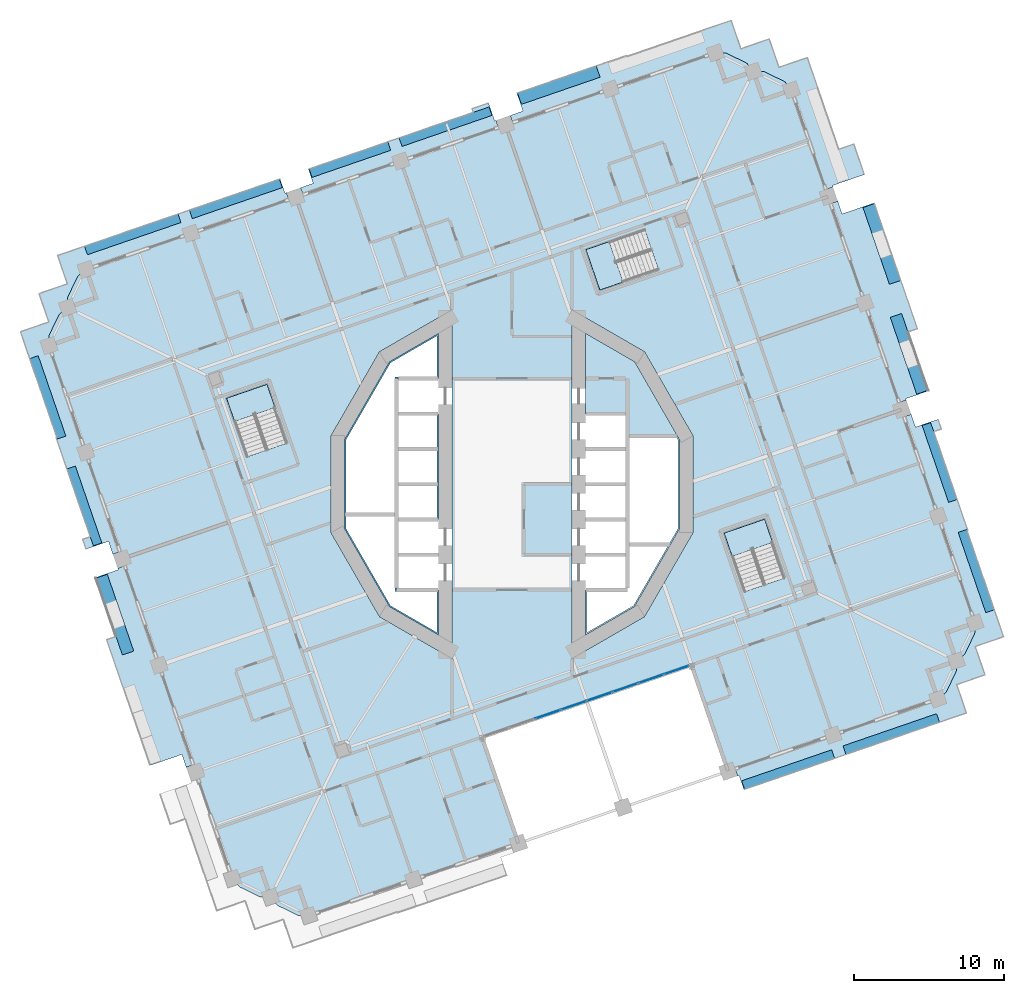
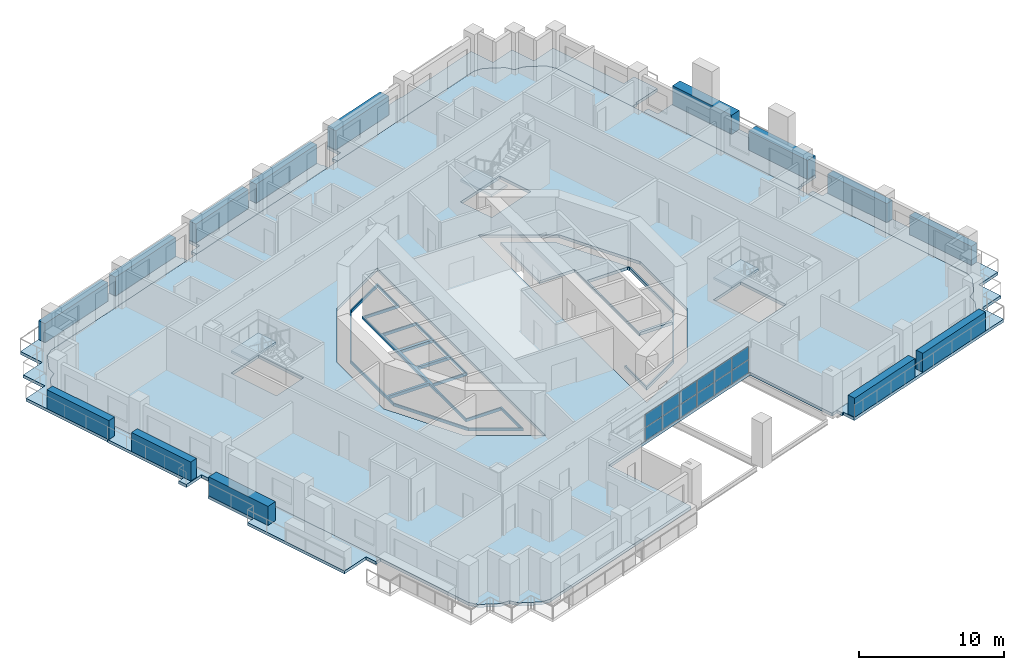
# One storey, part 7 of 22: 26 plates, 12 slabs, 4 elements without a shape of their own.
"""IFC4 building model written with IfcOpenShell, lengths in metres."""

from ifc_helpers import new_model, si_unit, direction, frame, origin, origin_2d, place, context, subcontext, project, spatial, polyline, rectangle, outline, extrude, material, layer, layer_set, type_object, element, aggregate, save


model = new_model("IFC4")

# Units and contexts
model_context = context("Model", 3, precision=1e-05, world=origin(), true_north=direction((0.0, 1.0)))
body_context = subcontext(model_context, "Body", "Model", "MODEL_VIEW")
ifc_project = project(units=[si_unit("LENGTHUNIT", "METRE"), si_unit("AREAUNIT", "SQUARE_METRE"), si_unit("VOLUMEUNIT", "CUBIC_METRE"), si_unit("PLANEANGLEUNIT", "RADIAN"), si_unit("MASSUNIT", "GRAM", prefix="KILO")], contexts=[model_context])

# Site, building, storey
site_placement = place(None, origin())
site = spatial("IfcSite", under=ifc_project, at=site_placement, CompositionType="ELEMENT")
building_placement = place(site_placement, origin())
building = spatial("IfcBuilding", under=site, at=building_placement, Name="Cantera Rosa Tower", CompositionType="ELEMENT")
storey_placement = place(building_placement, frame((0.0, 0.0, 104.10009765625)))
storey = spatial("IfcBuildingStorey", under=building, at=storey_placement, Name="L20", CompositionType="ELEMENT", Elevation=104.10009765625)

# Slabs
ifc_material_1 = material(Name="Concrete C35/45", Category="concrete")
ifc_layer_1 = layer(ifc_material_1, 0.25)
ifc_layer_set_1 = layer_set([ifc_layer_1], Name="COMPOSITE FLOOR SLAB 250 C35/45")
slab_type_1 = type_object("IfcSlabType", Name="COMPOSITE FLOOR SLAB 250 C35/45", PredefinedType="FLOOR", material=ifc_layer_set_1)
slab_1_placement = place(storey_placement, frame((0.0, 0.0, -0.25)))
element("IfcSlab", 1, at=slab_1_placement, inside=storey, type_object=slab_type_1, Name="SLAB L20 floor 1", PredefinedType="FLOOR", context=body_context, shape_type="SweptSolid", body=[
    extrude(outline(polyline([(-7.699951171875, -7.050048828125), (-4.89990234375, -7.050048828125), (-4.89990234375, -10.07373046875), (-8.179931640625, -8.179931640625), (-11.174072265625, -2.994140625), (-11.174072265625, 2.994140625), (-8.179931640625, 8.179931640625), (-4.89990234375, 10.07373046875), (-4.89990234375, 7.050048828125), (-7.699951171875, 7.050048828125), (-7.699951171875, 4.699951171875), (-4.89990234375, 4.699951171875), (-4.89990234375, -2.35009765625), (-7.699951171875, -2.35009765625), (-7.699951171875, -4.699951171875), (-7.699951171875, -7.050048828125)]), holes=[polyline([(-5.0, -9.900390625), (-5.0, -7.14990234375), (-7.800048828125, -7.14990234375), (-7.800048828125, -2.449951171875), (-7.800048828125, -2.25), (-7.800048828125, -2.11474609375), (-11.07421875, -2.11474609375), (-11.07421875, -2.96728515625), (-8.106689453125, -8.106689453125), (-5.0, -9.900390625)]), polyline([(-7.60009765625, -0.10009765625), (-7.60009765625, -2.25), (-5.0, -2.25), (-5.0, -0.10009765625), (-7.60009765625, -0.10009765625)]), polyline([(-7.60009765625, 0.10009765625), (-5.0, 0.10009765625), (-5.0, 2.25), (-7.60009765625, 2.25), (-7.60009765625, 0.10009765625)]), polyline([(-7.60009765625, 2.449951171875), (-5.0, 2.449951171875), (-5.0, 4.60009765625), (-7.60009765625, 4.60009765625), (-7.60009765625, 2.449951171875)]), polyline([(-8.106689453125, 8.106689453125), (-11.07421875, 2.96728515625), (-11.07421875, -1.914794921875), (-7.800048828125, -1.914794921875), (-7.800048828125, 2.25), (-7.800048828125, 2.449951171875), (-7.800048828125, 7.14990234375), (-5.0, 7.14990234375), (-5.0, 9.900390625), (-8.106689453125, 8.106689453125)])]), origin(), (0.0, 0.0, 1.0), 0.25),
])
slab_2_placement = place(storey_placement, frame((0.0, 0.0, -0.25)))
element("IfcSlab", 2, at=slab_2_placement, inside=storey, type_object=slab_type_1, Name="SLAB L20 floor 2", PredefinedType="FLOOR", context=body_context, shape_type="SweptSolid", body=[
    extrude(outline(polyline([(-14.334716796875, -28.7451171875), (-15.605712890625, -28.125), (-15.631591796875, -28.111083984375), (-15.65576171875, -28.09423828125), (-15.67822265625, -28.075439453125), (-15.698974609375, -28.05419921875), (-16.109619140625, -27.54541015625), (-16.763671875, -27.534912109375), (-16.79296875, -27.53173828125), (-16.82177734375, -27.525634765625), (-16.849609375, -27.516845703125), (-16.876708984375, -27.505126953125), (-18.14794921875, -26.88525390625), (-18.173583984375, -26.87109375), (-18.197998046875, -26.8544921875), (-18.220458984375, -26.83544921875), (-18.240966796875, -26.814453125), (-18.65185546875, -26.3056640625), (-18.948974609375, -25.443115234375), (-30.893310546875, 9.245849609375), (-30.8828125, 9.899658203125), (-30.87939453125, 9.928955078125), (-30.873291015625, 9.957763671875), (-30.864501953125, 9.98583984375), (-30.852783203125, 10.012939453125), (-30.23291015625, 11.283935546875), (-30.21875, 11.309814453125), (-30.2021484375, 11.333984375), (-30.18310546875, 11.356689453125), (-30.162109375, 11.377197265625), (-29.6533203125, 11.7880859375), (-29.642822265625, 12.44189453125), (-29.6396484375, 12.47119140625), (-29.633544921875, 12.5), (-29.62451171875, 12.528076171875), (-29.613037109375, 12.55517578125), (-28.9931640625, 13.826171875), (-28.97900390625, 13.85205078125), (-28.962158203125, 13.876220703125), (-28.943359375, 13.898681640625), (-28.922119140625, 13.91943359375), (-28.41357421875, 14.330078125), (-27.55078125, 14.627197265625), (13.567626953125, 28.785400390625), (14.221435546875, 28.77490234375), (14.250732421875, 28.771728515625), (14.279541015625, 28.765625), (14.3076171875, 28.756591796875), (14.334716796875, 28.7451171875), (15.605712890625, 28.125), (15.631591796875, 28.111083984375), (15.65576171875, 28.09423828125), (15.67822265625, 28.075439453125), (15.698974609375, 28.05419921875), (16.109619140625, 27.54541015625), (16.763671875, 27.534912109375), (16.79296875, 27.53173828125), (16.82177734375, 27.525634765625), (16.849609375, 27.516845703125), (16.876708984375, 27.505126953125), (18.14794921875, 26.88525390625), (18.173583984375, 26.87109375), (18.197998046875, 26.8544921875), (18.220458984375, 26.83544921875), (18.240966796875, 26.814453125), (18.65185546875, 26.3056640625), (18.948974609375, 25.443115234375), (30.893310546875, -9.245849609375), (30.8828125, -9.899658203125), (30.87939453125, -9.928955078125), (30.873291015625, -9.957763671875), (30.864501953125, -9.98583984375), (30.852783203125, -10.012939453125), (30.23291015625, -11.283935546875), (30.21875, -11.309814453125), (30.2021484375, -11.333984375), (30.18310546875, -11.356689453125), (30.162109375, -11.377197265625), (29.6533203125, -11.7880859375), (29.642822265625, -12.44189453125), (29.6396484375, -12.47119140625), (29.633544921875, -12.5), (29.62451171875, -12.528076171875), (29.613037109375, -12.55517578125), (28.9931640625, -13.826171875), (28.97900390625, -13.85205078125), (28.962158203125, -13.876220703125), (28.943359375, -13.898681640625), (28.922119140625, -13.91943359375), (28.41357421875, -14.330078125), (27.55078125, -14.627197265625), (14.419921875, -19.148681640625), (11.97802734375, -12.05712890625), (-2.015625, -16.87548828125), (0.426025390625, -23.967041015625), (-13.567626953125, -28.785400390625), (-14.221435546875, -28.77490234375), (-14.250732421875, -28.771728515625), (-14.279541015625, -28.765625), (-14.3076171875, -28.756591796875), (-14.334716796875, -28.7451171875)]), holes=[polyline([(-8.8388671875, 8.8388671875), (-12.07421875, 3.235107421875), (-12.07421875, -3.235107421875), (-8.8388671875, -8.8388671875), (-4.0, -11.632568359375), (-4.0, 11.632568359375), (-8.8388671875, 8.8388671875)]), polyline([(-17.695556640625, 1.82373046875), (-15.000732421875, 2.751708984375), (-16.347900390625, 6.6640625), (-19.042724609375, 5.736083984375), (-17.695556640625, 1.82373046875)]), polyline([(15.50439453125, -7.17626953125), (18.19921875, -6.248291015625), (16.85205078125, -2.3359375), (14.1572265625, -3.263916015625), (15.50439453125, -7.17626953125)]), polyline([(4.0, -11.632568359375), (8.8388671875, -8.8388671875), (12.07421875, -3.235107421875), (12.07421875, 3.235107421875), (8.8388671875, 8.8388671875), (4.0, 11.632568359375), (4.0, -11.632568359375)]), polyline([(9.7763671875, 14.304443359375), (8.848388671875, 16.999267578125), (4.935791015625, 15.652099609375), (5.86376953125, 12.957275390625), (9.7763671875, 14.304443359375)])]), origin(), (0.0, 0.0, 1.0), 0.25),
])
slab_3_placement = place(storey_placement, frame((0.0, 0.0, -0.25)))
element("IfcSlab", 3, at=slab_3_placement, inside=storey, type_object=slab_type_1, Name="SLAB L20 floor 3", PredefinedType="FLOOR", context=body_context, shape_type="SweptSolid", body=[
    extrude(outline(polyline([(4.89990234375, 4.699951171875), (4.89990234375, 10.07373046875), (8.179931640625, 8.179931640625), (11.174072265625, 2.994140625), (11.174072265625, -2.994140625), (8.179931640625, -8.179931640625), (4.89990234375, -10.07373046875), (4.89990234375, -7.050048828125), (5.0927734375, -7.050048828125), (5.0, -7.14990234375), (5.0, -9.900390625), (8.106689453125, -8.106689453125), (10.403076171875, -4.12939453125), (7.800048828125, -4.12939453125), (7.699951171875, -4.2373046875), (7.699951171875, -2.35009765625), (7.699951171875, 0.0), (7.699951171875, 2.35009765625), (7.699951171875, 4.699951171875), (4.89990234375, 4.699951171875)]), holes=[polyline([(7.800048828125, 3.12353515625), (7.800048828125, 2.449951171875), (7.800048828125, 2.25), (7.800048828125, -2.25), (7.800048828125, -2.449951171875), (7.800048828125, -3.929443359375), (10.5185546875, -3.929443359375), (11.07421875, -2.96728515625), (11.07421875, 2.96728515625), (10.98388671875, 3.12353515625), (7.800048828125, 3.12353515625)])]), origin(), (0.0, 0.0, 1.0), 0.25),
])

# Curtain wall, plates
ifc_material_2 = material(Name="Aluminium frame with clear glass", Category="aluminium")
curtain_wall_type = type_object("IfcCurtainWallType", Name="CW1 TERRACE POCKET GLAZING", PredefinedType="NOTDEFINED", material=ifc_material_2)
curtain_wall_placement = place(storey_placement, origin())
curtain_wall = element("IfcCurtainWall", 4, at=curtain_wall_placement, inside=storey, type_object=curtain_wall_type, Name="CW1 CW1", PredefinedType="NOTDEFINED")
ifc_material_3 = material(Name="Aluminium frame with clear glass", Category="aluminium")
ifc_layer_2 = layer(ifc_material_3, 0.028076171875)
ifc_layer_set_2 = layer_set([ifc_layer_2], Name="CW-PANEL POCKET")
plate_type_1 = type_object("IfcPlateType", Name="CW-PANEL POCKET", PredefinedType="CURTAIN_PANEL", material=ifc_layer_set_2)
plate_1_placement = place(storey_placement, frame((2.401611328125, -15.354736328125, 0.059814453125), z_axis=(0.0, 0.0, 1.0), x_axis=(0.945518575605, 0.325568154441, 0.0)))
plate_1 = element("IfcPlate", 5, at=plate_1_placement, type_object=plate_type_1, Name="CW1 panel 3.1", PredefinedType="CURTAIN_PANEL", context=body_context, shape_type="SweptSolid", body=[
    extrude(rectangle(XDim=1.7587890625, YDim=0.028076171875, at=origin_2d()), origin(), (0.0, 0.0, 1.0), 1.0791015625),
])
plate_2_placement = place(storey_placement, frame((2.401611328125, -15.354736328125, 1.19873046875), z_axis=(0.0, 0.0, 1.0), x_axis=(0.945518575605, 0.325568154441, 0.0)))
plate_2 = element("IfcPlate", 6, at=plate_2_placement, type_object=plate_type_1, Name="CW1 panel 3.2", PredefinedType="CURTAIN_PANEL", context=body_context, shape_type="SweptSolid", body=[
    extrude(rectangle(XDim=1.7587890625, YDim=0.028076171875, at=origin_2d()), origin(), (0.0, 0.0, 1.0), 1.0791015625),
])
plate_3_placement = place(storey_placement, frame((4.121337890625, -14.762451171875, 0.059814453125), z_axis=(0.0, 0.0, 1.0), x_axis=(0.945518575605, 0.325568154441, 0.0)))
plate_3 = element("IfcPlate", 7, at=plate_3_placement, type_object=plate_type_1, Name="CW1 panel 4.1", PredefinedType="CURTAIN_PANEL", context=body_context, shape_type="SweptSolid", body=[
    extrude(rectangle(XDim=1.7587890625, YDim=0.028076171875, at=origin_2d()), origin(), (0.0, 0.0, 1.0), 1.0791015625),
])
plate_4_placement = place(storey_placement, frame((4.121337890625, -14.762451171875, 1.19873046875), z_axis=(0.0, 0.0, 1.0), x_axis=(0.945518575605, 0.325568154441, 0.0)))
plate_4 = element("IfcPlate", 8, at=plate_4_placement, type_object=plate_type_1, Name="CW1 panel 4.2", PredefinedType="CURTAIN_PANEL", context=body_context, shape_type="SweptSolid", body=[
    extrude(rectangle(XDim=1.7587890625, YDim=0.028076171875, at=origin_2d()), origin(), (0.0, 0.0, 1.0), 1.0791015625),
])
plate_5_placement = place(storey_placement, frame((5.841064453125, -14.17041015625, 0.059814453125), z_axis=(0.0, 0.0, 1.0), x_axis=(0.945518575605, 0.325568154441, 0.0)))
plate_5 = element("IfcPlate", 9, at=plate_5_placement, type_object=plate_type_1, Name="CW1 panel 5.1", PredefinedType="CURTAIN_PANEL", context=body_context, shape_type="SweptSolid", body=[
    extrude(rectangle(XDim=1.7587890625, YDim=0.028076171875, at=origin_2d()), origin(), (0.0, 0.0, 1.0), 1.0791015625),
])
plate_6_placement = place(storey_placement, frame((5.841064453125, -14.17041015625, 1.19873046875), z_axis=(0.0, 0.0, 1.0), x_axis=(0.945518575605, 0.325568154441, 0.0)))
plate_6 = element("IfcPlate", 10, at=plate_6_placement, type_object=plate_type_1, Name="CW1 panel 5.2", PredefinedType="CURTAIN_PANEL", context=body_context, shape_type="SweptSolid", body=[
    extrude(rectangle(XDim=1.7587890625, YDim=0.028076171875, at=origin_2d()), origin(), (0.0, 0.0, 1.0), 1.0791015625),
])
plate_7_placement = place(storey_placement, frame((7.560791015625, -13.578125, 0.059814453125), z_axis=(0.0, 0.0, 1.0), x_axis=(0.945518575605, 0.325568154441, 0.0)))
plate_7 = element("IfcPlate", 11, at=plate_7_placement, type_object=plate_type_1, Name="CW1 panel 6.1", PredefinedType="CURTAIN_PANEL", context=body_context, shape_type="SweptSolid", body=[
    extrude(rectangle(XDim=1.7587890625, YDim=0.028076171875, at=origin_2d()), origin(), (0.0, 0.0, 1.0), 1.0791015625),
])
plate_8_placement = place(storey_placement, frame((7.560791015625, -13.578125, 1.19873046875), z_axis=(0.0, 0.0, 1.0), x_axis=(0.945518575605, 0.325568154441, 0.0)))
plate_8 = element("IfcPlate", 12, at=plate_8_placement, type_object=plate_type_1, Name="CW1 panel 6.2", PredefinedType="CURTAIN_PANEL", context=body_context, shape_type="SweptSolid", body=[
    extrude(rectangle(XDim=1.7587890625, YDim=0.028076171875, at=origin_2d()), origin(), (0.0, 0.0, 1.0), 1.0791015625),
])
plate_9_placement = place(storey_placement, frame((9.2802734375, -12.986083984375, 0.059814453125), z_axis=(0.0, 0.0, 1.0), x_axis=(0.945518575605, 0.325568154441, 0.0)))
plate_9 = element("IfcPlate", 13, at=plate_9_placement, type_object=plate_type_1, Name="CW1 panel 7.1", PredefinedType="CURTAIN_PANEL", context=body_context, shape_type="SweptSolid", body=[
    extrude(rectangle(XDim=1.7587890625, YDim=0.028076171875, at=origin_2d()), origin(), (0.0, 0.0, 1.0), 1.0791015625),
])
plate_10_placement = place(storey_placement, frame((9.2802734375, -12.986083984375, 1.19873046875), z_axis=(0.0, 0.0, 1.0), x_axis=(0.945518575605, 0.325568154441, 0.0)))
plate_10 = element("IfcPlate", 14, at=plate_10_placement, type_object=plate_type_1, Name="CW1 panel 7.2", PredefinedType="CURTAIN_PANEL", context=body_context, shape_type="SweptSolid", body=[
    extrude(rectangle(XDim=1.7587890625, YDim=0.028076171875, at=origin_2d()), origin(), (0.0, 0.0, 1.0), 1.0791015625),
])
plate_11_placement = place(storey_placement, frame((10.98583984375, -12.39892578125, 0.059814453125), z_axis=(0.0, 0.0, 1.0), x_axis=(0.945518575605, 0.325568154441, 0.0)))
plate_11 = element("IfcPlate", 15, at=plate_11_placement, type_object=plate_type_1, Name="CW1 panel 8.1", PredefinedType="CURTAIN_PANEL", context=body_context, shape_type="SweptSolid", body=[
    extrude(rectangle(XDim=1.728759765625, YDim=0.028076171875, at=origin_2d()), origin(), (0.0, 0.0, 1.0), 1.0791015625),
])
plate_12_placement = place(storey_placement, frame((10.98583984375, -12.39892578125, 1.19873046875), z_axis=(0.0, 0.0, 1.0), x_axis=(0.945518575605, 0.325568154441, 0.0)))
plate_12 = element("IfcPlate", 16, at=plate_12_placement, type_object=plate_type_1, Name="CW1 panel 8.2", PredefinedType="CURTAIN_PANEL", context=body_context, shape_type="SweptSolid", body=[
    extrude(rectangle(XDim=1.728759765625, YDim=0.028076171875, at=origin_2d()), origin(), (0.0, 0.0, 1.0), 1.0791015625),
])
aggregate(curtain_wall, [plate_1, plate_2, plate_3, plate_4, plate_5, plate_6, plate_7, plate_8, plate_9, plate_10, plate_11, plate_12])

# Slabs
ifc_material_4 = material(Name="Concrete C35/45", Category="concrete")
ifc_layer_3 = layer(ifc_material_4, 0.25)
ifc_layer_set_3 = layer_set([ifc_layer_3], Name="LOGGIA SLAB 250 C35/45")
slab_type_2 = type_object("IfcSlabType", Name="LOGGIA SLAB 250 C35/45", PredefinedType="FLOOR", material=ifc_layer_set_3)
slab_4_placement = place(storey_placement, frame((0.0, 0.0, -0.25)))
element("IfcSlab", 17, at=slab_4_placement, inside=storey, type_object=slab_type_2, Name="LOGGIA SLAB L20 1", PredefinedType="FLOOR", context=body_context, shape_type="SweptSolid", body=[
    extrude(outline(polyline([(-30.416015625, 3.096923828125), (-30.3681640625, 3.11328125), (-32.3115234375, 8.757568359375), (-32.7998046875, 10.17578125), (-31.381591796875, 10.6640625), (-30.908935546875, 10.826904296875), (-31.071533203125, 11.2998046875), (-31.56005859375, 12.718017578125), (-30.1416015625, 13.206298828125), (-29.6689453125, 13.369140625), (-29.831787109375, 13.841796875), (-30.320068359375, 15.260009765625), (-28.90185546875, 15.74853515625), (-23.3232421875, 17.669189453125), (-20.48681640625, 18.64599609375), (-16.326416015625, 20.07861328125), (-15.4755859375, 20.37158203125), (-15.14990234375, 19.426025390625), (-15.055419921875, 19.45849609375), (-14.892578125, 18.98583984375), (-27.55078125, 14.627197265625), (-28.41357421875, 14.330078125), (-28.922119140625, 13.91943359375), (-28.943359375, 13.898681640625), (-28.962158203125, 13.876220703125), (-28.97900390625, 13.85205078125), (-28.9931640625, 13.826171875), (-29.613037109375, 12.55517578125), (-29.62451171875, 12.528076171875), (-29.633544921875, 12.5), (-29.6396484375, 12.47119140625), (-29.642822265625, 12.44189453125), (-29.6533203125, 11.7880859375), (-30.162109375, 11.377197265625), (-30.18310546875, 11.356689453125), (-30.2021484375, 11.333984375), (-30.21875, 11.309814453125), (-30.23291015625, 11.283935546875), (-30.852783203125, 10.012939453125), (-30.864501953125, 9.98583984375), (-30.873291015625, 9.957763671875), (-30.87939453125, 9.928955078125), (-30.8828125, 9.899658203125), (-30.893310546875, 9.245849609375), (-26.159423828125, -4.501953125), (-26.63232421875, -4.664794921875), (-26.92529296875, -3.813720703125), (-28.427734375, -4.331298828125), (-28.652099609375, -3.6796875), (-28.14306640625, -3.50439453125), (-30.416015625, 3.096923828125)])), origin(), (0.0, 0.0, 1.0), 0.25),
])
slab_5_placement = place(storey_placement, frame((0.0, 0.0, -0.25)))
element("IfcSlab", 18, at=slab_5_placement, inside=storey, type_object=slab_type_2, Name="LOGGIA SLAB L20 2", PredefinedType="FLOOR", context=body_context, shape_type="SweptSolid", body=[
    extrude(outline(polyline([(-27.776611328125, -6.22216796875), (-26.274169921875, -5.704833984375), (-26.306640625, -5.6103515625), (-25.833984375, -5.447509765625), (-21.262939453125, -18.72265625), (-21.735595703125, -18.885498046875), (-22.02880859375, -18.034423828125), (-24.159912109375, -18.768310546875), (-27.049072265625, -10.377685546875), (-26.42041015625, -10.161376953125), (-27.776611328125, -6.22216796875)])), origin(), (0.0, 0.0, 1.0), 0.25),
])
slab_6_placement = place(storey_placement, frame((0.0, 0.0, -0.25)))
element("IfcSlab", 19, at=slab_6_placement, inside=storey, type_object=slab_type_2, Name="LOGGIA SLAB L20 4", PredefinedType="FLOOR", context=body_context, shape_type="SweptSolid", body=[
    extrude(outline(polyline([(-6.492919921875, 23.464599609375), (-2.579833984375, 24.811767578125), (-2.6650390625, 25.05908203125), (-1.56689453125, 25.43701171875), (-1.15625, 24.244384765625), (-1.061767578125, 24.277099609375), (-0.89892578125, 23.80419921875), (-13.947021484375, 19.311279296875), (-14.10986328125, 19.7841796875), (-13.2587890625, 20.0771484375), (-13.58447265625, 21.022705078125), (-13.489990234375, 21.05517578125), (-9.32958984375, 22.48779296875), (-6.492919921875, 23.464599609375)])), origin(), (0.0, 0.0, 1.0), 0.25),
])
slab_7_placement = place(storey_placement, frame((0.0, 0.0, -0.25)))
element("IfcSlab", 20, at=slab_7_placement, inside=storey, type_object=slab_type_2, Name="LOGGIA SLAB L20 5", PredefinedType="FLOOR", context=body_context, shape_type="SweptSolid", body=[
    extrude(outline(polyline([(13.01416015625, 30.392822265625), (14.62158203125, 30.9462890625), (15.1748046875, 29.3388671875), (15.272705078125, 29.05517578125), (15.556396484375, 29.15283203125), (17.16357421875, 29.706298828125), (17.717041015625, 28.09912109375), (17.814697265625, 27.815185546875), (18.098388671875, 27.9130859375), (19.705810546875, 28.466552734375), (20.25927734375, 26.859130859375), (21.81103515625, 22.352783203125), (22.8076171875, 22.69580078125), (23.5087890625, 20.6591796875), (21.377685546875, 19.92529296875), (21.41015625, 19.830810546875), (20.9375, 19.668212890625), (18.948974609375, 25.443115234375), (18.65185546875, 26.3056640625), (18.240966796875, 26.814453125), (18.220458984375, 26.83544921875), (18.197998046875, 26.8544921875), (18.173583984375, 26.87109375), (18.14794921875, 26.88525390625), (16.876708984375, 27.505126953125), (16.849609375, 27.516845703125), (16.82177734375, 27.525634765625), (16.79296875, 27.53173828125), (16.763671875, 27.534912109375), (16.109619140625, 27.54541015625), (15.698974609375, 28.05419921875), (15.67822265625, 28.075439453125), (15.65576171875, 28.09423828125), (15.631591796875, 28.111083984375), (15.605712890625, 28.125), (14.334716796875, 28.7451171875), (14.3076171875, 28.756591796875), (14.279541015625, 28.765625), (14.250732421875, 28.771728515625), (14.221435546875, 28.77490234375), (13.567626953125, 28.785400390625), (0.046630859375, 24.1298828125), (-0.1162109375, 24.6025390625), (0.73486328125, 24.8955078125), (0.32421875, 26.08837890625), (7.66259765625, 28.615234375), (7.6826171875, 28.55712890625), (13.01416015625, 30.392822265625)])), origin(), (0.0, 0.0, 1.0), 0.25),
])
slab_8_placement = place(storey_placement, frame((0.0, 0.0, -0.25)))
element("IfcSlab", 21, at=slab_8_placement, inside=storey, type_object=slab_type_2, Name="LOGGIA SLAB L20 6", PredefinedType="FLOOR", context=body_context, shape_type="SweptSolid", body=[
    extrude(outline(polyline([(27.776611328125, 6.22216796875), (26.274169921875, 5.704833984375), (26.306640625, 5.6103515625), (25.833984375, 5.447509765625), (21.262939453125, 18.72265625), (21.735595703125, 18.885498046875), (22.02880859375, 18.034423828125), (24.159912109375, 18.768310546875), (27.049072265625, 10.377685546875), (26.42041015625, 10.161376953125), (27.776611328125, 6.22216796875)])), origin(), (0.0, 0.0, 1.0), 0.25),
])
slab_9_placement = place(storey_placement, frame((0.0, 0.0, -0.25)))
element("IfcSlab", 22, at=slab_9_placement, inside=storey, type_object=slab_type_2, Name="LOGGIA SLAB L20 7", PredefinedType="FLOOR", context=body_context, shape_type="SweptSolid", body=[
    extrude(outline(polyline([(30.416015625, -3.096923828125), (30.3681640625, -3.11328125), (32.3115234375, -8.757568359375), (32.7998046875, -10.17578125), (31.381591796875, -10.6640625), (30.908935546875, -10.826904296875), (31.071533203125, -11.2998046875), (31.56005859375, -12.718017578125), (30.1416015625, -13.206298828125), (29.6689453125, -13.369140625), (29.831787109375, -13.841796875), (30.320068359375, -15.260009765625), (28.90185546875, -15.74853515625), (23.3232421875, -17.669189453125), (20.48681640625, -18.64599609375), (16.326416015625, -20.07861328125), (15.4755859375, -20.37158203125), (15.14990234375, -19.426025390625), (15.055419921875, -19.45849609375), (14.892578125, -18.98583984375), (27.55078125, -14.627197265625), (28.41357421875, -14.330078125), (28.922119140625, -13.91943359375), (28.943359375, -13.898681640625), (28.962158203125, -13.876220703125), (28.97900390625, -13.85205078125), (28.9931640625, -13.826171875), (29.613037109375, -12.55517578125), (29.62451171875, -12.528076171875), (29.633544921875, -12.5), (29.6396484375, -12.47119140625), (29.642822265625, -12.44189453125), (29.6533203125, -11.7880859375), (30.162109375, -11.377197265625), (30.18310546875, -11.356689453125), (30.2021484375, -11.333984375), (30.21875, -11.309814453125), (30.23291015625, -11.283935546875), (30.852783203125, -10.012939453125), (30.864501953125, -9.98583984375), (30.873291015625, -9.957763671875), (30.87939453125, -9.928955078125), (30.8828125, -9.899658203125), (30.893310546875, -9.245849609375), (26.159423828125, 4.501953125), (26.63232421875, 4.664794921875), (26.92529296875, 3.813720703125), (28.427734375, 4.331298828125), (28.652099609375, 3.6796875), (28.14306640625, 3.50439453125), (30.416015625, -3.096923828125)])), origin(), (0.0, 0.0, 1.0), 0.25),
])

# Plates
ifc_material_5 = material(Name="Cantera stone planter with soil", Category="masonry")
plate_type_2 = type_object("IfcPlateType", Name="PLANTER 600", PredefinedType="USERDEFINED", material=ifc_material_5)
plate_13_placement = place(storey_placement, frame((30.974609375, -5.79638671875, -0.000244140625), z_axis=(0.0, 0.0, 1.0), x_axis=(-0.325568154457, 0.945518575599, 0.0)))
element("IfcPlate", 23, at=plate_13_placement, inside=storey, type_object=plate_type_2, Name="PLANTER L20-01", ObjectType="PLANTER", PredefinedType="USERDEFINED", context=body_context, shape_type="SweptSolid", body=[
    extrude(rectangle(XDim=5.669921875, YDim=0.60009765625, at=origin_2d()), origin(), (0.0, 0.0, 1.0), 1.60009765625),
])
plate_14_placement = place(storey_placement, frame((28.53369140625, 1.448486328125, -0.000244140625), z_axis=(0.0, 0.0, 1.0), x_axis=(-0.325568154457, 0.945518575599, 0.0)))
element("IfcPlate", 24, at=plate_14_placement, inside=storey, type_object=plate_type_2, Name="PLANTER L20-02", ObjectType="PLANTER", PredefinedType="USERDEFINED", context=body_context, shape_type="SweptSolid", body=[
    extrude(rectangle(XDim=5.419921875, YDim=0.60009765625, at=origin_2d()), origin(), (0.0, 0.0, 1.0), 1.60009765625),
])
plate_15_placement = place(storey_placement, frame((-4.433349609375, 23.8564453125, -0.000244140625), z_axis=(0.0, 0.0, 1.0), x_axis=(-0.945518575599, -0.325568154457, 0.0)))
element("IfcPlate", 25, at=plate_15_placement, inside=storey, type_object=plate_type_2, Name="PLANTER L20-08", ObjectType="PLANTER", PredefinedType="USERDEFINED", context=body_context, shape_type="SweptSolid", body=[
    extrude(rectangle(XDim=6.35009765625, YDim=0.60009765625, at=origin_2d()), origin(), (0.0, 0.0, 1.0), 1.60009765625),
])
plate_16_placement = place(storey_placement, frame((-10.815673828125, 21.65869140625, -0.000244140625), z_axis=(0.0, 0.0, 1.0), x_axis=(-0.945518575599, -0.325568154457, 0.0)))
element("IfcPlate", 26, at=plate_16_placement, inside=storey, type_object=plate_type_2, Name="PLANTER L20-09", ObjectType="PLANTER", PredefinedType="USERDEFINED", context=body_context, shape_type="SweptSolid", body=[
    extrude(rectangle(XDim=5.550048828125, YDim=0.60009765625, at=origin_2d()), origin(), (0.0, 0.0, 1.0), 1.60009765625),
])
plate_17_placement = place(storey_placement, frame((-18.427001953125, 19.037841796875, -0.000244140625), z_axis=(0.0, 0.0, 1.0), x_axis=(-0.945518575599, -0.325568154457, 0.0)))
element("IfcPlate", 27, at=plate_17_placement, inside=storey, type_object=plate_type_2, Name="PLANTER L20-10", ObjectType="PLANTER", PredefinedType="USERDEFINED", context=body_context, shape_type="SweptSolid", body=[
    extrude(rectangle(XDim=6.35009765625, YDim=0.60009765625, at=origin_2d()), origin(), (0.0, 0.0, 1.0), 1.60009765625),
])
plate_18_placement = place(storey_placement, frame((-25.3056640625, 16.66943359375, -0.000244140625), z_axis=(0.0, 0.0, 1.0), x_axis=(-0.945518575599, -0.325568154457, 0.0)))
element("IfcPlate", 28, at=plate_18_placement, inside=storey, type_object=plate_type_2, Name="PLANTER L20-11", ObjectType="PLANTER", PredefinedType="USERDEFINED", context=body_context, shape_type="SweptSolid", body=[
    extrude(rectangle(XDim=6.60009765625, YDim=0.60009765625, at=origin_2d()), origin(), (0.0, 0.0, 1.0), 1.60009765625),
])
plate_19_placement = place(storey_placement, frame((-30.974609375, 5.79638671875, -0.000244140625), z_axis=(0.0, 0.0, 1.0), x_axis=(0.325568154457, -0.945518575599, 0.0)))
element("IfcPlate", 29, at=plate_19_placement, inside=storey, type_object=plate_type_2, Name="PLANTER L20-12", ObjectType="PLANTER", PredefinedType="USERDEFINED", context=body_context, shape_type="SweptSolid", body=[
    extrude(rectangle(XDim=5.669921875, YDim=0.60009765625, at=origin_2d()), origin(), (0.0, 0.0, 1.0), 1.60009765625),
])
plate_20_placement = place(storey_placement, frame((-28.53369140625, -1.448486328125, -0.000244140625), z_axis=(0.0, 0.0, 1.0), x_axis=(0.325568154457, -0.945518575599, 0.0)))
element("IfcPlate", 30, at=plate_20_placement, inside=storey, type_object=plate_type_2, Name="PLANTER L20-13", ObjectType="PLANTER", PredefinedType="USERDEFINED", context=body_context, shape_type="SweptSolid", body=[
    extrude(rectangle(XDim=5.419921875, YDim=0.60009765625, at=origin_2d()), origin(), (0.0, 0.0, 1.0), 1.60009765625),
])
plate_21_placement = place(storey_placement, frame((18.427001953125, -19.037841796875, -0.000244140625), z_axis=(0.0, 0.0, 1.0), x_axis=(0.945518575599, 0.325568154457, 0.0)))
element("IfcPlate", 31, at=plate_21_placement, inside=storey, type_object=plate_type_2, Name="PLANTER L20-21", ObjectType="PLANTER", PredefinedType="USERDEFINED", context=body_context, shape_type="SweptSolid", body=[
    extrude(rectangle(XDim=6.35009765625, YDim=0.60009765625, at=origin_2d()), origin(), (0.0, 0.0, 1.0), 1.60009765625),
])
plate_22_placement = place(storey_placement, frame((25.3056640625, -16.66943359375, -0.000244140625), z_axis=(0.0, 0.0, 1.0), x_axis=(0.945518575599, 0.325568154457, 0.0)))
element("IfcPlate", 32, at=plate_22_placement, inside=storey, type_object=plate_type_2, Name="PLANTER L20-22", ObjectType="PLANTER", PredefinedType="USERDEFINED", context=body_context, shape_type="SweptSolid", body=[
    extrude(rectangle(XDim=6.60009765625, YDim=0.60009765625, at=origin_2d()), origin(), (0.0, 0.0, 1.0), 1.60009765625),
])
ifc_material_6 = material(Name="Cantera stone planter with soil", Category="masonry")
plate_type_3 = type_object("IfcPlateType", Name="PLANTER 800", PredefinedType="USERDEFINED", material=ifc_material_6)
for number, where, z_axis, x_axis, name in (
    (33, (26.5, 8.70166015625, -0.000244140625), (0.0, 0.0, 1.0), (-0.325568154457, 0.945518575599, 0.0), "PLANTER L20-03"),
    (34, (24.68017578125, 16.0283203125, -0.000244140625), (0.0, 0.0, 1.0), (-0.325568154457, 0.945518575599, 0.0), "PLANTER L20-04"),
):
    element("IfcPlate", number, at=place(storey_placement, frame(where, z_axis=z_axis, x_axis=x_axis)), inside=storey, type_object=plate_type_3, Name=name, ObjectType="PLANTER", PredefinedType="USERDEFINED", context=body_context, shape_type="SweptSolid", body=[
        extrude(rectangle(XDim=5.419921875, YDim=0.800048828125, at=origin_2d()), origin(), (0.0, 0.0, 1.0), 1.60009765625),
    ])
plate_23_placement = place(storey_placement, frame((3.12548828125, 26.6298828125, -0.000244140625), z_axis=(0.0, 0.0, 1.0), x_axis=(-0.945518575599, -0.325568154457, 0.0)))
element("IfcPlate", 35, at=plate_23_placement, inside=storey, type_object=plate_type_3, Name="PLANTER L20-07", ObjectType="PLANTER", PredefinedType="USERDEFINED", context=body_context, shape_type="SweptSolid", body=[
    extrude(rectangle(XDim=5.550048828125, YDim=0.800048828125, at=origin_2d()), origin(), (0.0, 0.0, 1.0), 1.60009765625),
])
plate_24_placement = place(storey_placement, frame((-26.5, -8.70166015625, -0.000244140625), z_axis=(0.0, 0.0, 1.0), x_axis=(0.325568154457, -0.945518575599, 0.0)))
element("IfcPlate", 36, at=plate_24_placement, inside=storey, type_object=plate_type_3, Name="PLANTER L20-14", ObjectType="PLANTER", PredefinedType="USERDEFINED", context=body_context, shape_type="SweptSolid", body=[
    extrude(rectangle(XDim=5.419921875, YDim=0.800048828125, at=origin_2d()), origin(), (0.0, 0.0, 1.0), 1.60009765625),
])

# Stair, slab
ifc_material_7 = material(Name="Concrete C35/45", Category="concrete")
stair_type = type_object("IfcStairType", Name="EXIT STAIR 1350 DOGLEG", PredefinedType="HALF_TURN_STAIR", material=ifc_material_7)
stair_1_placement = place(storey_placement, origin())
stair_1 = element("IfcStair", 37, at=stair_1_placement, inside=storey, type_object=stair_type, Name="L20 ST-21", PredefinedType="HALF_TURN_STAIR")
ifc_material_8 = material(Name="Concrete C35/45", Category="concrete")
ifc_layer_4 = layer(ifc_material_8, 0.199951171875)
ifc_layer_set_4 = layer_set([ifc_layer_4], Name="STAIR LANDING 200")
slab_type_3 = type_object("IfcSlabType", Name="STAIR LANDING 200", PredefinedType="LANDING", material=ifc_layer_set_4)
slab_10_placement = place(storey_placement, frame((0.0, 0.0, 1.699951171875)))
slab_10 = element("IfcSlab", 38, at=slab_10_placement, type_object=slab_type_3, Name="ST-21 landing 1", PredefinedType="LANDING", context=body_context, shape_type="SweptSolid", body=[
    extrude(outline(polyline([(6.488525390625, 16.1865234375), (4.935791015625, 15.652099609375), (5.86376953125, 12.957275390625), (7.416259765625, 13.491943359375), (6.488525390625, 16.1865234375)])), origin(), (0.0, 0.0, 1.0), 0.199951171875),
])
aggregate(stair_1, [slab_10])

stair_2_placement = place(storey_placement, origin())
stair_2 = element("IfcStair", 39, at=stair_2_placement, inside=storey, type_object=stair_type, Name="L20 ST-22", PredefinedType="HALF_TURN_STAIR")
slab_11_placement = place(storey_placement, frame((0.0, 0.0, 1.699951171875)))
slab_11 = element("IfcSlab", 40, at=slab_11_placement, type_object=slab_type_3, Name="ST-22 landing 1", PredefinedType="LANDING", context=body_context, shape_type="SweptSolid", body=[
    extrude(outline(polyline([(-15.8134765625, 5.111572265625), (-16.347900390625, 6.6640625), (-19.042724609375, 5.736328125), (-18.508056640625, 4.18359375), (-15.8134765625, 5.111572265625)])), origin(), (0.0, 0.0, 1.0), 0.199951171875),
])
aggregate(stair_2, [slab_11])

stair_3_placement = place(storey_placement, origin())
stair_3 = element("IfcStair", 41, at=stair_3_placement, inside=storey, type_object=stair_type, Name="L20 ST-23", PredefinedType="HALF_TURN_STAIR")
slab_12_placement = place(storey_placement, frame((0.0, 0.0, 1.699951171875)))
slab_12 = element("IfcSlab", 42, at=slab_12_placement, type_object=slab_type_3, Name="ST-23 landing 1", PredefinedType="LANDING", context=body_context, shape_type="SweptSolid", body=[
    extrude(outline(polyline([(17.38671875, -3.888427734375), (16.85205078125, -2.3359375), (14.1572265625, -3.263671875), (14.69189453125, -4.81640625), (17.38671875, -3.888427734375)])), origin(), (0.0, 0.0, 1.0), 0.199951171875),
])
aggregate(stair_3, [slab_12])

save(model, "model.ifc")
